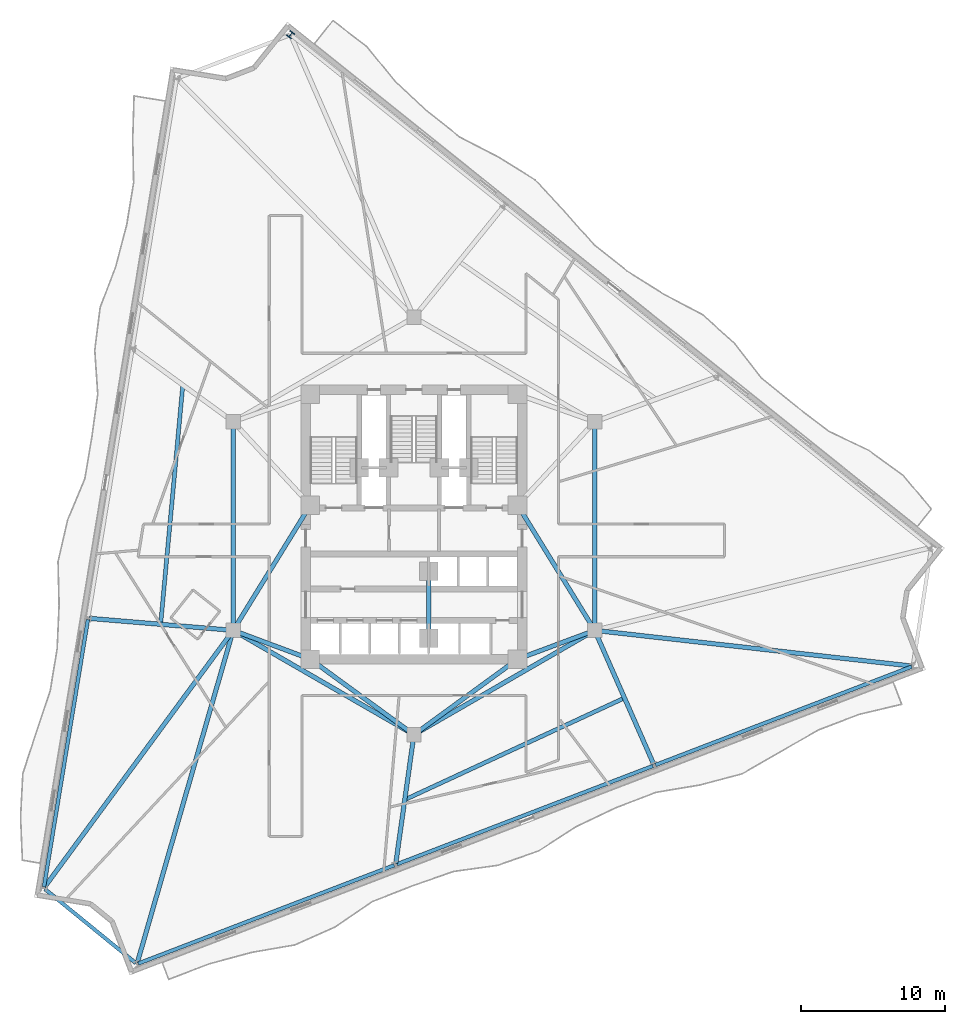
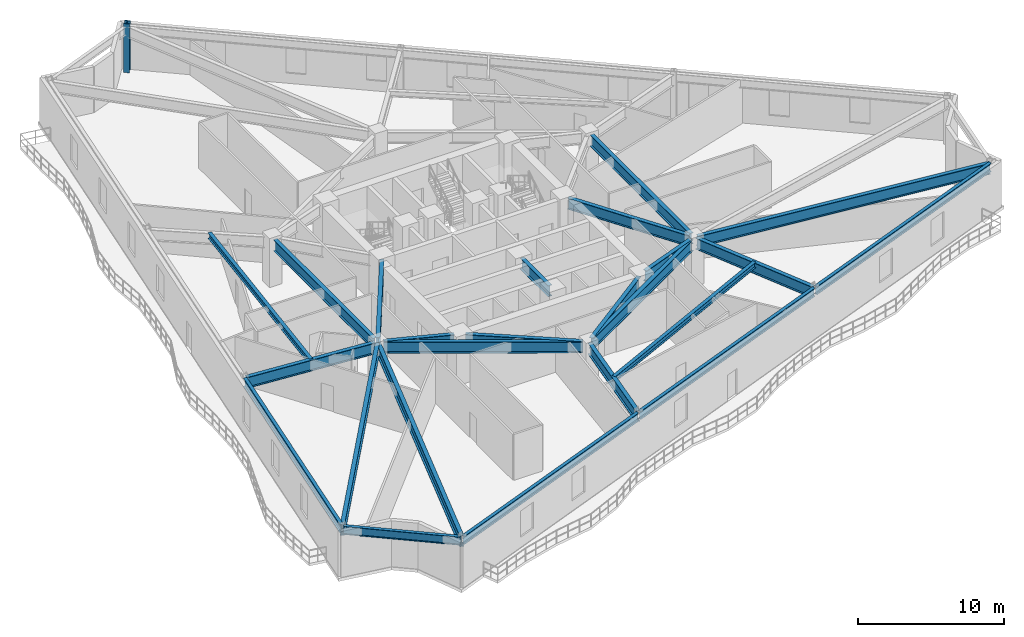
# One storey, part 2 of 11: 24 beams, 1 column.
"""IFC4 building model written with IfcOpenShell, lengths in metres."""

from ifc_helpers import new_model, si_unit, direction, frame, origin, origin_2d, place, context, subcontext, project, spatial, i_section, extrude, material, material_profile, profile_set, type_object, element, save


model = new_model("IFC4")

# Units and contexts
model_context = context("Model", 3, precision=1e-05, world=origin(), true_north=direction((0.0, 1.0)))
body_context = subcontext(model_context, "Body", "Model", "MODEL_VIEW")
ifc_project = project(units=[si_unit("LENGTHUNIT", "METRE"), si_unit("AREAUNIT", "SQUARE_METRE"), si_unit("VOLUMEUNIT", "CUBIC_METRE"), si_unit("PLANEANGLEUNIT", "RADIAN"), si_unit("MASSUNIT", "GRAM", prefix="KILO")], contexts=[model_context])

# Site, building, storey
site_placement = place(None, origin())
site = spatial("IfcSite", under=ifc_project, at=site_placement, CompositionType="ELEMENT")
building_placement = place(site_placement, origin())
building = spatial("IfcBuilding", under=site, at=building_placement, Name="Apsidion Concourse Tower", CompositionType="ELEMENT")
storey_placement = place(building_placement, frame((0.0, 0.0, 148.60009765625)))
storey = spatial("IfcBuildingStorey", under=building, at=storey_placement, Name="L34", CompositionType="ELEMENT", Elevation=148.60009765625)

# Column
ifc_material = material(Name="Structural steel ASTM A992 Grade 50", Category="steel")
ifc_material_profile_1 = material_profile(ifc_material, i_section(OverallWidth=0.410888671875, OverallDepth=0.43408203125, WebThickness=0.035888671875, FlangeThickness=0.057373046875, at=origin_2d()), Name="W14X311")
ifc_profile_set_1 = profile_set([ifc_material_profile_1], Name="Structural steel ASTM A992 Grade 50")
column_type = type_object("IfcColumnType", Name="COL-W14-311", PredefinedType="COLUMN", material=ifc_profile_set_1)
column_placement = place(storey_placement, frame((-8.565185546875, 34.1376953125, 0.0), z_axis=(0.0, 0.0, 1.0), x_axis=(-0.780757676633, 0.624833938242, 0.0)))
element("IfcColumn", 1, at=column_placement, inside=storey, type_object=column_type, Name="L34 Rotated Perimeter Column PC12", PredefinedType="COLUMN", context=body_context, shape_type="SweptSolid", body=[
    extrude(i_section(OverallWidth=0.410888671875, OverallDepth=0.43408203125, WebThickness=0.035888671875, FlangeThickness=0.057373046875, at=origin_2d()), origin(), (0.0, 0.0, 1.0), 4.099853515625),
])

# Beams
ifc_material_profile_2 = material_profile(ifc_material, i_section(OverallWidth=0.280029296875, OverallDepth=0.462890625, WebThickness=0.0107421875, FlangeThickness=0.017333984375, at=origin_2d()), Name="W18X76")
ifc_profile_set_2 = profile_set([ifc_material_profile_2], Name="Structural steel ASTM A992 Grade 50")
beam_type_1 = type_object("IfcBeamType", Name="BM-FL-W18M", PredefinedType="BEAM", material=ifc_profile_set_2)
beam_1_placement = place(storey_placement, frame((-16.05908203125, 9.798095703125, 3.618408203125), z_axis=(-0.092270423312, -0.995733985049, 0.0), x_axis=(0.995733985049, -0.092270423312, 0.0)))
element("IfcBeam", 2, at=beam_1_placement, inside=storey, type_object=beam_type_1, Name="L34 Secondary Floor Beam SEC-F1", PredefinedType="BEAM", context=body_context, shape_type="SweptSolid", body=[
    extrude(i_section(OverallWidth=0.280029296875, OverallDepth=0.462890625, WebThickness=0.0107421875, FlangeThickness=0.017333984375, at=origin_2d()), origin(), (0.0, 0.0, 1.0), 16.698486328125),
])
beam_2_placement = place(storey_placement, frame((-0.6376953125, -19.018310546875, 3.618408203125), z_axis=(0.907312361657, 0.420457225392, 0.0), x_axis=(-0.420457225392, 0.907312361657, 0.0)))
element("IfcBeam", 3, at=beam_2_placement, inside=storey, type_object=beam_type_1, Name="L34 Secondary Floor Beam SEC-F2", PredefinedType="BEAM", context=body_context, shape_type="SweptSolid", body=[
    extrude(i_section(OverallWidth=0.280029296875, OverallDepth=0.462890625, WebThickness=0.0107421875, FlangeThickness=0.017333984375, at=origin_2d()), origin(), (0.0, 0.0, 1.0), 16.82568359375),
])
ifc_material_profile_3 = material_profile(ifc_material, i_section(OverallWidth=0.31005859375, OverallDepth=0.931884765625, WebThickness=0.02099609375, FlangeThickness=0.034423828125, at=origin_2d()), Name="W36X210")
ifc_profile_set_3 = profile_set([ifc_material_profile_3], Name="Structural steel ASTM A992 Grade 50")
beam_type_2 = type_object("IfcBeamType", Name="BM-G-W36", PredefinedType="USERDEFINED", material=ifc_profile_set_3)
beam_3_placement = place(storey_placement, frame((-12.185302734375, -7.389892578125, 3.3837890625), z_axis=(0.936913021145, -0.349562570664, 0.0), x_axis=(0.349562570664, 0.936913021145, 0.0)))
element("IfcBeam", 4, at=beam_3_placement, inside=storey, type_object=beam_type_2, Name="L34 Core Coupling Girder IC1-SC1", ObjectType="GIRDER", PredefinedType="USERDEFINED", context=body_context, shape_type="SweptSolid", body=[
    extrude(i_section(OverallWidth=0.31005859375, OverallDepth=0.931884765625, WebThickness=0.02099609375, FlangeThickness=0.034423828125, at=origin_2d()), origin(), (0.0, 0.0, 1.0), 4.921142578125),
])
beam_4_placement = place(storey_placement, frame((-12.35009765625, -6.909423828125, 3.3837890625), z_axis=(0.524524009763, 0.851395656074, 0.0), x_axis=(-0.851395656074, 0.524524009763, 0.0)))
element("IfcBeam", 5, at=beam_4_placement, inside=storey, type_object=beam_type_2, Name="L34 Core Coupling Girder IC1-SC6", ObjectType="GIRDER", PredefinedType="USERDEFINED", context=body_context, shape_type="SweptSolid", body=[
    extrude(i_section(OverallWidth=0.31005859375, OverallDepth=0.931884765625, WebThickness=0.02099609375, FlangeThickness=0.034423828125, at=origin_2d()), origin(), (0.0, 0.0, 1.0), 9.41845703125),
])
beam_5_placement = place(storey_placement, frame((12.185302734375, -7.389892578125, 3.3837890625), z_axis=(-0.936913021145, -0.349562570664, 0.0), x_axis=(0.349562570664, -0.936913021145, 0.0)))
element("IfcBeam", 6, at=beam_5_placement, inside=storey, type_object=beam_type_2, Name="L34 Core Coupling Girder IC2-SC2", ObjectType="GIRDER", PredefinedType="USERDEFINED", context=body_context, shape_type="SweptSolid", body=[
    extrude(i_section(OverallWidth=0.31005859375, OverallDepth=0.931884765625, WebThickness=0.02099609375, FlangeThickness=0.034423828125, at=origin_2d()), origin(), (0.0, 0.0, 1.0), 4.921142578125),
])
beam_6_placement = place(storey_placement, frame((12.35009765625, -6.909423828125, 3.3837890625), z_axis=(-0.524524009763, 0.851395656074, 0.0), x_axis=(-0.851395656074, -0.524524009763, 0.0)))
element("IfcBeam", 7, at=beam_6_placement, inside=storey, type_object=beam_type_2, Name="L34 Core Coupling Girder IC2-SC3", ObjectType="GIRDER", PredefinedType="USERDEFINED", context=body_context, shape_type="SweptSolid", body=[
    extrude(i_section(OverallWidth=0.31005859375, OverallDepth=0.931884765625, WebThickness=0.02099609375, FlangeThickness=0.034423828125, at=origin_2d()), origin(), (0.0, 0.0, 1.0), 9.41845703125),
])
for number, where, z_axis, x_axis, name in (
    (8, (-0.3232421875, -14.264404296875, 3.3837890625), (-0.807993498909, 0.589191399905, 0.0), (-0.589191399905, -0.807993498909, 0.0), "L34 Core Coupling Girder IC6-SC1"),
    (9, (0.3232421875, -14.264404296875, 3.3837890625), (0.807993498909, 0.589191399905, 0.0), (-0.589191399905, 0.807993498909, 0.0), "L34 Core Coupling Girder IC6-SC2"),
):
    element("IfcBeam", number, at=place(storey_placement, frame(where, z_axis=z_axis, x_axis=x_axis)), inside=storey, type_object=beam_type_2, Name=name, ObjectType="GIRDER", PredefinedType="USERDEFINED", context=body_context, shape_type="SweptSolid", body=[
        extrude(i_section(OverallWidth=0.31005859375, OverallDepth=0.931884765625, WebThickness=0.02099609375, FlangeThickness=0.034423828125, at=origin_2d()), origin(), (0.0, 0.0, 1.0), 8.11083984375),
    ])
for number, where, z_axis, x_axis, name in (
    (10, (-12.56005859375, -6.85009765625, 3.3837890625), (0.0, 1.0, 0.0), (-1.0, 0.0, 0.0), "L34 Core Coupling Girder IC1-IC5"),
    (11, (12.56005859375, 6.85009765625, 3.3837890625), (0.0, -1.0, 0.0), (1.0, 0.0, 0.0), "L34 Core Coupling Girder IC3-IC2"),
):
    element("IfcBeam", number, at=place(storey_placement, frame(where, z_axis=z_axis, x_axis=x_axis)), inside=storey, type_object=beam_type_2, Name=name, ObjectType="GIRDER", PredefinedType="USERDEFINED", context=body_context, shape_type="SweptSolid", body=[
        extrude(i_section(OverallWidth=0.31005859375, OverallDepth=0.931884765625, WebThickness=0.02099609375, FlangeThickness=0.034423828125, at=origin_2d()), origin(), (0.0, 0.0, 1.0), 13.7001953125),
    ])
for number, where, z_axis, x_axis, name in (
    (12, (12.213623046875, -7.449951171875, 3.3837890625), (-0.866070471464, -0.499921932364, 0.0), (0.499921932364, -0.866070471464, 0.0), "L34 Core Coupling Girder IC2-IC6"),
    (13, (-0.346435546875, -14.300048828125, 3.3837890625), (-0.866070471464, 0.499921932364, 0.0), (-0.499921932364, -0.866070471464, 0.0), "L34 Core Coupling Girder IC6-IC1"),
):
    element("IfcBeam", number, at=place(storey_placement, frame(where, z_axis=z_axis, x_axis=x_axis)), inside=storey, type_object=beam_type_2, Name=name, ObjectType="GIRDER", PredefinedType="USERDEFINED", context=body_context, shape_type="SweptSolid", body=[
        extrude(i_section(OverallWidth=0.31005859375, OverallDepth=0.931884765625, WebThickness=0.02099609375, FlangeThickness=0.034423828125, at=origin_2d()), origin(), (0.0, 0.0, 1.0), 13.702392578125),
    ])
beam_7_placement = place(storey_placement, frame((1.02490234375, -3.550048828125, 3.3837890625), z_axis=(0.0, -1.0, 0.0), x_axis=(1.0, 0.0, 0.0)))
element("IfcBeam", 14, at=beam_7_placement, inside=storey, type_object=beam_type_2, Name="L34 Core Coupling Girder CC5-CC6", ObjectType="GIRDER", PredefinedType="USERDEFINED", context=body_context, shape_type="SweptSolid", body=[
    extrude(i_section(OverallWidth=0.31005859375, OverallDepth=0.931884765625, WebThickness=0.02099609375, FlangeThickness=0.034423828125, at=origin_2d()), origin(), (0.0, 0.0, 1.0), 3.849853515625),
])
beam_8_placement = place(storey_placement, frame((-12.779296875, -7.231689453125, 3.3837890625), z_axis=(-0.996528374011, 0.083253827489, 0.0), x_axis=(-0.083253827489, -0.996528374011, 0.0)))
element("IfcBeam", 15, at=beam_8_placement, inside=storey, type_object=beam_type_2, Name="L34 Radial Floor Girder RAD-03", ObjectType="GIRDER", PredefinedType="USERDEFINED", context=body_context, shape_type="SweptSolid", body=[
    extrude(i_section(OverallWidth=0.31005859375, OverallDepth=0.931884765625, WebThickness=0.02099609375, FlangeThickness=0.034423828125, at=origin_2d()), origin(), (0.0, 0.0, 1.0), 9.79443359375),
])
beam_9_placement = place(storey_placement, frame((-12.690185546875, -7.42724609375, 3.3837890625), z_axis=(-0.592104054542, -0.80586151949, 0.0), x_axis=(0.80586151949, -0.592104054542, 0.0)))
element("IfcBeam", 16, at=beam_9_placement, inside=storey, type_object=beam_type_2, Name="L34 Radial Floor Girder RAD-04", ObjectType="GIRDER", PredefinedType="USERDEFINED", context=body_context, shape_type="SweptSolid", body=[
    extrude(i_section(OverallWidth=0.31005859375, OverallDepth=0.931884765625, WebThickness=0.02099609375, FlangeThickness=0.034423828125, at=origin_2d()), origin(), (0.0, 0.0, 1.0), 21.907470703125),
])
beam_10_placement = place(storey_placement, frame((-12.62109375, -7.46142578125, 3.3837890625), z_axis=(-0.277124061606, -0.960834145146, 0.0), x_axis=(0.960834145146, -0.277124061606, 0.0)))
element("IfcBeam", 17, at=beam_10_placement, inside=storey, type_object=beam_type_2, Name="L34 Radial Floor Girder RAD-05", ObjectType="GIRDER", PredefinedType="USERDEFINED", context=body_context, shape_type="SweptSolid", body=[
    extrude(i_section(OverallWidth=0.31005859375, OverallDepth=0.931884765625, WebThickness=0.02099609375, FlangeThickness=0.034423828125, at=origin_2d()), origin(), (0.0, 0.0, 1.0), 23.810302734375),
])
beam_11_placement = place(storey_placement, frame((-0.03076171875, -14.7177734375, 3.3837890625), z_axis=(-0.139728877642, -0.990189800368, 0.0), x_axis=(0.990189800368, -0.139728877642, 0.0)))
element("IfcBeam", 18, at=beam_11_placement, inside=storey, type_object=beam_type_2, Name="L34 Radial Floor Girder RAD-06", ObjectType="GIRDER", PredefinedType="USERDEFINED", context=body_context, shape_type="SweptSolid", body=[
    extrude(i_section(OverallWidth=0.31005859375, OverallDepth=0.931884765625, WebThickness=0.02099609375, FlangeThickness=0.034423828125, at=origin_2d()), origin(), (0.0, 0.0, 1.0), 8.80615234375),
])
beam_12_placement = place(storey_placement, frame((12.648681640625, -7.451416015625, 3.3837890625), z_axis=(0.403246465544, -0.915091409656, 0.0), x_axis=(0.915091409656, 0.403246465544, 0.0)))
element("IfcBeam", 19, at=beam_12_placement, inside=storey, type_object=beam_type_2, Name="L34 Radial Floor Girder RAD-07", ObjectType="GIRDER", PredefinedType="USERDEFINED", context=body_context, shape_type="SweptSolid", body=[
    extrude(i_section(OverallWidth=0.31005859375, OverallDepth=0.931884765625, WebThickness=0.02099609375, FlangeThickness=0.034423828125, at=origin_2d()), origin(), (0.0, 0.0, 1.0), 9.93896484375),
])
beam_13_placement = place(storey_placement, frame((12.778564453125, -7.274658203125, 3.3837890625), z_axis=(0.993722887176, -0.111869671955, 0.0), x_axis=(0.111869671955, 0.993722887176, 0.0)))
element("IfcBeam", 20, at=beam_13_placement, inside=storey, type_object=beam_type_2, Name="L34 Radial Floor Girder RAD-08", ObjectType="GIRDER", PredefinedType="USERDEFINED", context=body_context, shape_type="SweptSolid", body=[
    extrude(i_section(OverallWidth=0.31005859375, OverallDepth=0.931884765625, WebThickness=0.02099609375, FlangeThickness=0.034423828125, at=origin_2d()), origin(), (0.0, 0.0, 1.0), 21.928466796875),
])
ifc_material_profile_4 = material_profile(ifc_material, i_section(OverallWidth=0.256103515625, OverallDepth=0.693115234375, WebThickness=0.014404296875, FlangeThickness=0.023681640625, at=origin_2d()), Name="W27X114")
ifc_profile_set_4 = profile_set([ifc_material_profile_4], Name="Structural steel ASTM A992 Grade 50")
beam_type_3 = type_object("IfcBeamType", Name="BM-SP-W27", PredefinedType="SPANDREL", material=ifc_profile_set_4)
beam_14_placement = place(storey_placement, frame((-22.65576171875, -6.506591796875, 3.50341796875), z_axis=(-0.162122790078, -0.986770591849, 0.0), x_axis=(0.986770591849, -0.162122790078, 0.0)))
element("IfcBeam", 21, at=beam_14_placement, inside=storey, type_object=beam_type_3, Name="L34 Perimeter Spandrel Girder SP-03", PredefinedType="SPANDREL", context=body_context, shape_type="SweptSolid", body=[
    extrude(i_section(OverallWidth=0.256103515625, OverallDepth=0.693115234375, WebThickness=0.014404296875, FlangeThickness=0.023681640625, at=origin_2d()), origin(), (0.0, 0.0, 1.0), 18.8056640625),
])
beam_15_placement = place(storey_placement, frame((-25.643310546875, -25.225341796875, 3.50341796875), z_axis=(0.775340926365, -0.631542910579, 0.0), x_axis=(0.631542910579, 0.775340926365, 0.0)))
element("IfcBeam", 22, at=beam_15_placement, inside=storey, type_object=beam_type_3, Name="L34 Perimeter Spandrel Girder SP-04", PredefinedType="SPANDREL", context=body_context, shape_type="SweptSolid", body=[
    extrude(i_section(OverallWidth=0.256103515625, OverallDepth=0.693115234375, WebThickness=0.014404296875, FlangeThickness=0.023681640625, at=origin_2d()), origin(), (0.0, 0.0, 1.0), 8.1494140625),
])
for number, where, z_axis, x_axis, name in (
    (23, (-19.15380859375, -30.3994140625, 3.50341796875), (0.933579256938, 0.358370996335, 0.0), (-0.358370996335, 0.933579256938, 0.0), "L34 Perimeter Spandrel Girder SP-05"),
    (24, (-1.181884765625, -23.500732421875, 3.50341796875), (0.933579256938, 0.358370996335, 0.0), (-0.358370996335, 0.933579256938, 0.0), "L34 Perimeter Spandrel Girder SP-06"),
    (25, (16.7900390625, -16.60205078125, 3.50341796875), (0.933579256938, 0.358370996335, 0.0), (-0.358370996335, 0.933579256938, 0.0), "L34 Perimeter Spandrel Girder SP-07"),
):
    element("IfcBeam", number, at=place(storey_placement, frame(where, z_axis=z_axis, x_axis=x_axis)), inside=storey, type_object=beam_type_3, Name=name, PredefinedType="SPANDREL", context=body_context, shape_type="SweptSolid", body=[
        extrude(i_section(OverallWidth=0.256103515625, OverallDepth=0.693115234375, WebThickness=0.014404296875, FlangeThickness=0.023681640625, at=origin_2d()), origin(), (0.0, 0.0, 1.0), 19.050537109375),
    ])

save(model, "model.ifc")
